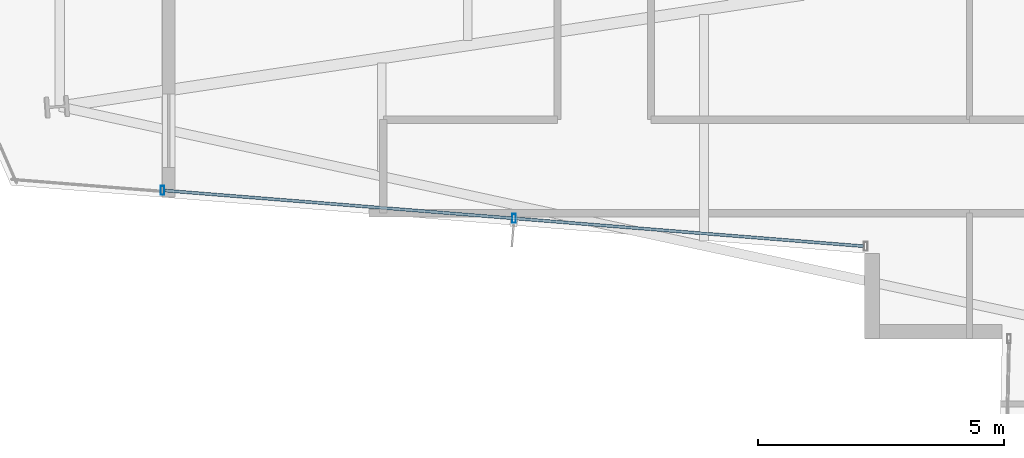
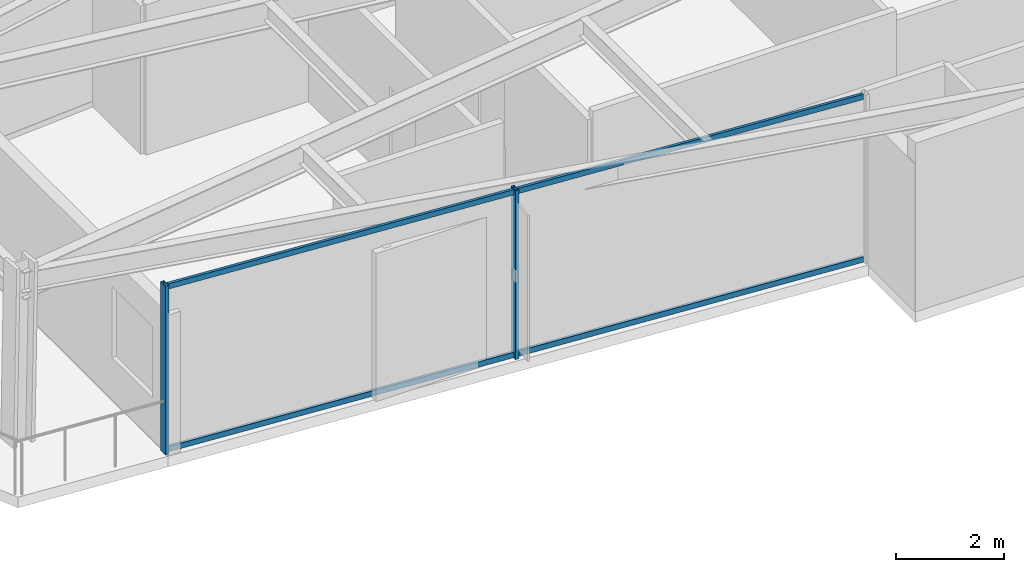
# One storey, part 2 of 27: 4 members, 1 element without a shape of its own.
"""IFC4 building model written with IfcOpenShell, lengths in metres."""

import ifcopenshell
import ifcopenshell.guid

model = None  # the IFC model being written
_history = None  # IfcOwnerHistory: only IFC2X3 demands one
_inside = {}  # id of a spatial element -> (the spatial element, [elements in it])
_under = {}  # id of a project, library or spatial element -> (it, [spatial elements below it])
_declared = {}  # id of a project -> (the project, [libraries it declares])
_typed = {}  # id of a type object -> (the type object, [elements of that type])
_made_of = {}  # id of a material, layer set ... -> (it, [elements and type objects made of it])


def new_model(schema):
    """Start an empty IFC model of exactly this schema.

    Asked for "IFC4X3", IfcOpenShell would pick the latest addendum, in which some entities
    have other attributes; the version numbers below select the first issue.
    IFC2X3 requires an IfcOwnerHistory on every rooted entity: one is made here for all.
    """
    global model, _history
    if schema == "IFC4X3":
        model = ifcopenshell.file(schema_version=(4, 3, 0, 0))
    else:
        model = ifcopenshell.file(schema=schema)
    _inside.clear()
    _under.clear()
    _declared.clear()
    _typed.clear()
    _made_of.clear()
    _history = None
    if model.schema == "IFC2X3":
        org = make("IfcOrganization", Name="unknown")
        user = make(
            "IfcPersonAndOrganization",
            ThePerson=make("IfcPerson", FamilyName="unknown"),
            TheOrganization=org,
        )
        app = make(
            "IfcApplication",
            ApplicationDeveloper=org,
            Version="unknown",
            ApplicationFullName="unknown",
            ApplicationIdentifier="unknown",
        )
        _history = make(
            "IfcOwnerHistory",
            OwningUser=user,
            OwningApplication=app,
            ChangeAction="ADDED",
            CreationDate=0,
        )
    return model


def make(cls, **values):
    """One entity of the class cls with the attributes given. An attribute that is None is left unset."""
    return model.create_entity(
        cls, **{name: value for name, value in values.items() if value is not None}
    )


def rooted(cls, **values):
    """An entity with a GlobalId (a new one), such as an element, a storey or a relation."""
    return make(cls, GlobalId=ifcopenshell.guid.new(), OwnerHistory=_history, **values)


def si_unit(unit_type, name, prefix=None):
    """IfcSIUnit, for example si_unit("LENGTHUNIT", "METRE", prefix="MILLI")."""
    return make("IfcSIUnit", UnitType=unit_type, Prefix=prefix, Name=name)


def assignment(units):
    """IfcUnitAssignment: the units of a project."""
    return None if units is None else make("IfcUnitAssignment", Units=units)


def point(xyz):
    """IfcCartesianPoint."""
    return None if xyz is None else make("IfcCartesianPoint", Coordinates=xyz)


def direction(xyz):
    """IfcDirection."""
    return None if xyz is None else make("IfcDirection", DirectionRatios=xyz)


def frame(location, z_axis=None, x_axis=None):
    """IfcAxis2Placement3D, a coordinate frame: its origin and axes. An axis left out is left unset."""
    return make(
        "IfcAxis2Placement3D",
        Location=point(location),
        Axis=direction(z_axis),
        RefDirection=direction(x_axis),
    )


def frame_2d(location, x_axis=None):
    """IfcAxis2Placement2D, a coordinate frame in the plane: its origin and x axis."""
    return make(
        "IfcAxis2Placement2D", Location=point(location), RefDirection=direction(x_axis)
    )


def origin():
    """The frame at (0, 0, 0) with its axes left unset."""
    return frame((0.0, 0.0, 0.0))


def origin_2d():
    """The frame at (0, 0) in the plane with its x axis left unset."""
    return frame_2d((0.0, 0.0))


def place(relative_to, where):
    """IfcLocalPlacement: puts the frame where relative to a parent placement (None: the world)."""
    return make(
        "IfcLocalPlacement", PlacementRelTo=relative_to, RelativePlacement=where
    )


def context(
    kind, dimensions, precision=None, world=None, true_north=None, identifier=None
):
    """IfcGeometricRepresentationContext, for example the 3D "Model" context."""
    return make(
        "IfcGeometricRepresentationContext",
        ContextIdentifier=identifier,
        ContextType=kind,
        CoordinateSpaceDimension=dimensions,
        Precision=precision,
        WorldCoordinateSystem=world,
        TrueNorth=true_north,
    )


def subcontext(parent, identifier, kind, view, scale=None):
    """IfcGeometricRepresentationSubContext, for example "Body" below "Model"."""
    return make(
        "IfcGeometricRepresentationSubContext",
        ContextIdentifier=identifier,
        ContextType=kind,
        ParentContext=parent,
        TargetScale=scale,
        TargetView=view,
    )


def project(units=None, contexts=None):
    """IfcProject with its units and contexts."""
    return rooted(
        "IfcProject",
        Name="project",
        RepresentationContexts=contexts,
        UnitsInContext=assignment(units),
    )


def spatial(cls, under=None, at=None, **own):
    """A site, building, storey or space (cls), placed at a placement, below another one or the project."""
    s = rooted(cls, ObjectPlacement=at, **own)
    if under is not None:
        _under.setdefault(under.id(), (under, []))[1].append(s)
    return s


def profile(cls, at=None, kind="AREA", **sizes):
    """A parametric profile (cls). Its sizes go by their IFC names, for example OverallWidth=200.0."""
    return make(cls, ProfileType=kind, Position=at, **sizes)


def hollow_rectangle(**sizes):
    """IfcRectangleHollowProfileDef."""
    return profile("IfcRectangleHollowProfileDef", **sizes)


def extrude(swept, where, along, depth):
    """IfcExtrudedAreaSolid: the profile swept, set in the frame where, extruded along a direction by depth."""
    return make(
        "IfcExtrudedAreaSolid",
        SweptArea=swept,
        Position=where,
        ExtrudedDirection=direction(along),
        Depth=depth,
    )


def shape(context_of_items, identifier, shape_type, items):
    """IfcShapeRepresentation: the items that make up one representation, for example the "Body"."""
    return make(
        "IfcShapeRepresentation",
        ContextOfItems=context_of_items,
        RepresentationIdentifier=identifier,
        RepresentationType=shape_type,
        Items=items,
    )


def material(Name=None, Category=None):
    """IfcMaterial."""
    return make("IfcMaterial", Name=Name, Category=Category)


def layer(
    of_material, thickness, ventilated=None, Name=None, Category=None, Priority=None
):
    """IfcMaterialLayer: one layer of a wall or slab, of a material (None: an air gap)."""
    return make(
        "IfcMaterialLayer",
        Material=of_material,
        LayerThickness=thickness,
        IsVentilated=ventilated,
        Name=Name,
        Category=Category,
        Priority=Priority,
    )


def layer_set(layers, Name=None):
    """IfcMaterialLayerSet."""
    return make("IfcMaterialLayerSet", MaterialLayers=layers, LayerSetName=Name)


def material_profile(
    of_material, cross_section, Name=None, Category=None, Priority=None
):
    """IfcMaterialProfile: a cross section and its material."""
    return make(
        "IfcMaterialProfile",
        Name=Name,
        Material=of_material,
        Profile=cross_section,
        Priority=Priority,
        Category=Category,
    )


def profile_set(profiles, Name=None, composite=None):
    """IfcMaterialProfileSet."""
    return make(
        "IfcMaterialProfileSet",
        Name=Name,
        MaterialProfiles=profiles,
        CompositeProfile=composite,
    )


def made_of(thing, what):
    """Note that an element or type object is made of a material, layer set ...; save() writes the relation."""
    if what is not None:
        _made_of.setdefault(what.id(), (what, []))[1].append(thing)
    return thing


def type_object(cls, material=None, **own):
    """A type object (cls), such as IfcWallType, which elements share."""
    return made_of(rooted(cls, **own), material)


def element(
    cls,
    number,
    at=None,
    inside=None,
    cuts=None,
    type_object=None,
    material=None,
    context=None,
    identifier="Body",
    shape_type=None,
    held_by="IfcProductDefinitionShape",
    body=None,
    shapes=None,
    **own,
):
    """One element of the class cls, such as IfcWall. Its Tag is "e" and its number.

    at: its placement. inside: the storey or other place that contains it. cuts: it is an
    opening in that element (IfcRelVoidsElement). A single representation is given by context,
    identifier, shape_type and body (its items); several are given by shapes. held_by: the class
    of the entity that holds the representations. save() writes the other relations.
    """
    e = rooted(cls, Tag="e%d" % number, ObjectPlacement=at, **own)
    if body is not None:
        shapes = [shape(context, identifier, shape_type, body)]
    if shapes is not None:
        e.Representation = make(held_by, Representations=shapes)
    if inside is not None:
        _inside.setdefault(inside.id(), (inside, []))[1].append(e)
    if cuts is not None:
        rooted(
            "IfcRelVoidsElement", RelatingBuildingElement=cuts, RelatedOpeningElement=e
        )
    if type_object is not None:
        _typed.setdefault(type_object.id(), (type_object, []))[1].append(e)
    return made_of(e, material)


def aggregate(whole, parts):
    """IfcRelAggregates: a whole, such as a stair, and the parts it consists of."""
    return rooted("IfcRelAggregates", RelatingObject=whole, RelatedObjects=parts)


def save(model, path):
    """Write the relations noted so far, then the file.

    IfcRelAggregates (storeys below a building ...), IfcRelContainedInSpatialStructure (elements
    in a storey), IfcRelDefinesByType, IfcRelAssociatesMaterial and IfcRelDeclares: one each for
    every whole, place, type object, material and project.
    """
    for whole, parts in _under.values():
        aggregate(whole, parts)
    for where, things in _inside.values():
        rooted(
            "IfcRelContainedInSpatialStructure",
            RelatedElements=things,
            RelatingStructure=where,
        )
    for kind, things in _typed.values():
        rooted("IfcRelDefinesByType", RelatedObjects=things, RelatingType=kind)
    for what, things in _made_of.values():
        rooted("IfcRelAssociatesMaterial", RelatedObjects=things, RelatingMaterial=what)
    for by, libraries in _declared.values():
        rooted("IfcRelDeclares", RelatingContext=by, RelatedDefinitions=libraries)
    model.write(path)


model = new_model("IFC4")

# Units and contexts
model_context = context("Model", 3, precision=1e-05, world=origin(), true_north=direction((0.0, 1.0)))
body_context = subcontext(model_context, "Body", "Model", "MODEL_VIEW")
ifc_project = project(units=[si_unit("LENGTHUNIT", "METRE"), si_unit("AREAUNIT", "SQUARE_METRE"), si_unit("VOLUMEUNIT", "CUBIC_METRE"), si_unit("PLANEANGLEUNIT", "RADIAN"), si_unit("MASSUNIT", "GRAM", prefix="KILO")], contexts=[model_context])

# Site, building, storey
site_placement = place(None, origin())
site = spatial("IfcSite", under=ifc_project, at=site_placement, CompositionType="ELEMENT")
building_placement = place(site_placement, origin())
building = spatial("IfcBuilding", under=site, at=building_placement, Name="Veymaron Broadcast Tower", CompositionType="ELEMENT")
storey_placement = place(building_placement, frame((0.0, 0.0, 86.39990234375)))
storey = spatial("IfcBuildingStorey", under=building, at=storey_placement, Name="L19", CompositionType="ELEMENT", Elevation=86.39990234375)

# Curtain wall, members
ifc_material_1 = material(Name="Anodised aluminium AA 6063-T6 and laminated low-E dark glass", Category="aluminium")
ifc_layer = layer(ifc_material_1, 0.179931640625)
ifc_layer_set = layer_set([ifc_layer], Name="Anodised aluminium AA 6063-T6 and laminated low-E dark glass")
curtain_wall_type = type_object("IfcCurtainWallType", Name="CW-SYS-02", PredefinedType="NOTDEFINED", material=ifc_layer_set)
curtain_wall_placement = place(storey_placement, origin())
curtain_wall = element("IfcCurtainWall", 1, at=curtain_wall_placement, inside=storey, type_object=curtain_wall_type, Name="L19 dark-glass curtain wall CW-L19-E14-1", PredefinedType="NOTDEFINED")
ifc_material_2 = material(Name="Anodised aluminium AA 6063-T6", Category="aluminium")
ifc_material_profile_1 = material_profile(ifc_material_2, hollow_rectangle(XDim=0.074951171875, YDim=0.179931640625, WallThickness=0.0048828125, at=origin_2d()), Name="AL180X75X5")
ifc_profile_set_1 = profile_set([ifc_material_profile_1], Name="Anodised aluminium AA 6063-T6")
member_type_1 = type_object("IfcMemberType", Name="CW-MUL-02", PredefinedType="MULLION", material=ifc_profile_set_1)
member_1_placement = place(storey_placement, frame((11.47509765625, 19.013916015625, 0.0), z_axis=(0.0, 0.0, 1.0), x_axis=(1.0, 0.0, 0.0)))
member_1 = element("IfcMember", 2, at=member_1_placement, type_object=member_type_1, Name="CW-L19-E14-1 mullion 0", PredefinedType="MULLION", context=body_context, shape_type="SweptSolid", body=[
    extrude(hollow_rectangle(XDim=0.074951171875, YDim=0.179931640625, WallThickness=0.0048828125, at=origin_2d()), origin(), (0.0, 0.0, 1.0), 3.81005859375),
])
member_2_placement = place(storey_placement, frame((18.619140625, 18.444580078125, 0.0), z_axis=(0.0, 0.0, 1.0), x_axis=(1.0, 0.0, 0.0)))
member_2 = element("IfcMember", 3, at=member_2_placement, type_object=member_type_1, Name="CW-L19-E14-1 mullion 1", PredefinedType="MULLION", context=body_context, shape_type="SweptSolid", body=[
    extrude(hollow_rectangle(XDim=0.074951171875, YDim=0.179931640625, WallThickness=0.0048828125, at=origin_2d()), origin(), (0.0, 0.0, 1.0), 3.81005859375),
])
ifc_material_profile_2 = material_profile(ifc_material_2, hollow_rectangle(XDim=0.06005859375, YDim=0.1201171875, WallThickness=0.00390625, at=origin_2d()), Name="AL120X60X4")
ifc_profile_set_2 = profile_set([ifc_material_profile_2], Name="Anodised aluminium AA 6063-T6")
member_type_2 = type_object("IfcMemberType", Name="CW-TRN-02", PredefinedType="USERDEFINED", material=ifc_profile_set_2)
member_3_placement = place(storey_placement, frame((11.52490234375, 19.009765625, 0.070068359375), z_axis=(0.996842870086, -0.079399574052, 0.0), x_axis=(0.079399574052, 0.996842870086, 0.0)))
member_3 = element("IfcMember", 4, at=member_3_placement, type_object=member_type_2, Name="CW-L19-E14-1 transom B", ObjectType="TRANSOM", PredefinedType="USERDEFINED", context=body_context, shape_type="SweptSolid", body=[
    extrude(hollow_rectangle(XDim=0.06005859375, YDim=0.1201171875, WallThickness=0.00390625, at=origin_2d()), origin(), (0.0, 0.0, 1.0), 14.2333984375),
])
member_4_placement = place(storey_placement, frame((11.52490234375, 19.009765625, 3.739990234375), z_axis=(0.996842870086, -0.079399574052, 0.0), x_axis=(0.079399574052, 0.996842870086, 0.0)))
member_4 = element("IfcMember", 5, at=member_4_placement, type_object=member_type_2, Name="CW-L19-E14-1 transom T", ObjectType="TRANSOM", PredefinedType="USERDEFINED", context=body_context, shape_type="SweptSolid", body=[
    extrude(hollow_rectangle(XDim=0.06005859375, YDim=0.1201171875, WallThickness=0.00390625, at=origin_2d()), origin(), (0.0, 0.0, 1.0), 14.2333984375),
])
aggregate(curtain_wall, [member_1, member_2, member_3, member_4])

save(model, "model.ifc")
